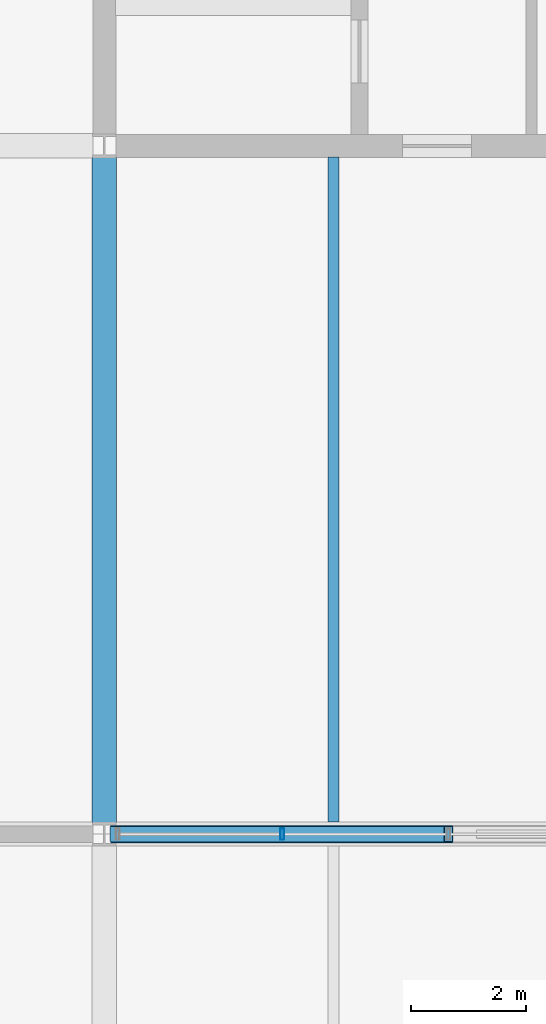
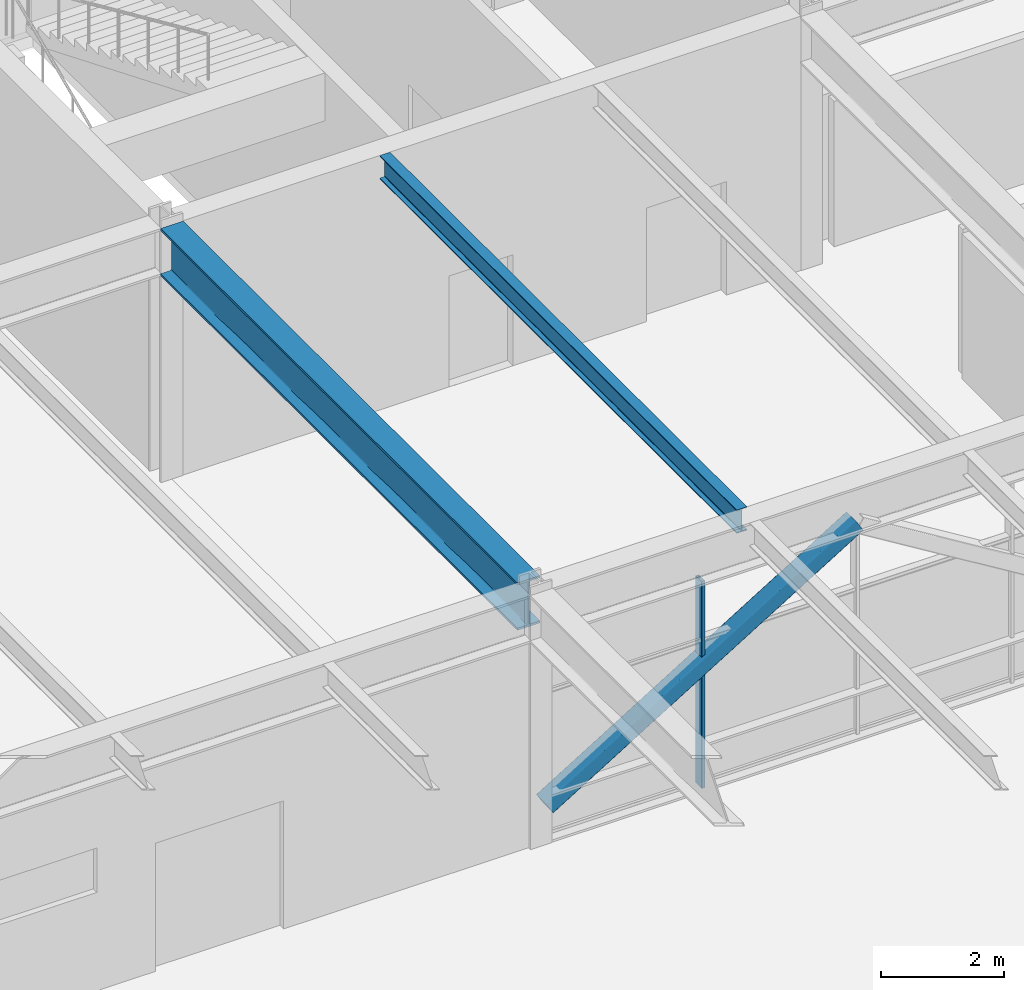
# One storey, part 22 of 42: 2 beams, 2 members, 1 element without a shape of its own.
"""IFC4 building model written with IfcOpenShell, lengths in metres."""

from ifc_helpers import new_model, si_unit, direction, frame, origin, origin_2d, place, context, subcontext, project, spatial, hollow_rectangle, i_section, extrude, material, material_profile, profile_set, type_object, element, aggregate, save


model = new_model("IFC4")

# Units and contexts
model_context = context("Model", 3, precision=1e-05, world=origin(), true_north=direction((0.0, 1.0)))
body_context = subcontext(model_context, "Body", "Model", "MODEL_VIEW")
ifc_project = project(units=[si_unit("LENGTHUNIT", "METRE"), si_unit("AREAUNIT", "SQUARE_METRE"), si_unit("VOLUMEUNIT", "CUBIC_METRE"), si_unit("PLANEANGLEUNIT", "RADIAN"), si_unit("MASSUNIT", "GRAM", prefix="KILO")], contexts=[model_context])

# Site, building, storey
site_placement = place(None, origin())
site = spatial("IfcSite", under=ifc_project, at=site_placement, CompositionType="ELEMENT")
building_placement = place(site_placement, origin())
building = spatial("IfcBuilding", under=site, at=building_placement, Name="Girod Span Mobility Hub", CompositionType="ELEMENT")
storey_placement = place(building_placement, frame((0.0, 0.0, 32.39990234375)))
storey = spatial("IfcBuildingStorey", under=building, at=storey_placement, Name="L08", CompositionType="ELEMENT", Elevation=32.39990234375)

# Beams
ifc_material_1 = material(Name="Steel A992 Grade 50", Category="steel")
ifc_material_profile_1 = material_profile(ifc_material_1, i_section(OverallWidth=0.19189453125, OverallDepth=0.462890625, WebThickness=0.010498046875, FlangeThickness=0.017578125, FilletRadius=0.013916015625, at=origin_2d()), Name="W18X60")
ifc_profile_set_1 = profile_set([ifc_material_profile_1], Name="Steel A992 Grade 50")
beam_type_1 = type_object("IfcBeamType", Name="BM-STL-W18X60", PredefinedType="BEAM", material=ifc_profile_set_1)
beam_1_placement = place(storey_placement, frame((112.0, 45.20849609375, 4.80859375), z_axis=(0.0, 1.0, 0.0), x_axis=(-1.0, 0.0, 0.0)))
element("IfcBeam", 1, at=beam_1_placement, inside=storey, type_object=beam_type_1, Name="Composite Floorbeam 10/D-1 L08", PredefinedType="BEAM", context=body_context, shape_type="SweptSolid", body=[
    extrude(i_section(OverallWidth=0.19189453125, OverallDepth=0.462890625, WebThickness=0.010498046875, FlangeThickness=0.017578125, FilletRadius=0.013916015625, at=origin_2d()), origin(), (0.0, 0.0, 1.0), 11.594482421875),
])
ifc_material_2 = material(Name="Steel A992 Grade 50", Category="steel")
ifc_material_profile_2 = material_profile(ifc_material_2, i_section(OverallWidth=0.423095703125, OverallDepth=0.93994140625, WebThickness=0.02392578125, FlangeThickness=0.042724609375, FilletRadius=0.02392578125, at=origin_2d()), Name="W36X302")
ifc_profile_set_2 = profile_set([ifc_material_profile_2], Name="Steel A992 Grade 50")
beam_type_2 = type_object("IfcBeamType", Name="BM-STL-W36X302", PredefinedType="BEAM", material=ifc_profile_set_2)
beam_2_placement = place(storey_placement, frame((108.0, 45.205078125, 4.570068359375), z_axis=(0.0, 1.0, 0.0), x_axis=(-1.0, 0.0, 0.0)))
element("IfcBeam", 2, at=beam_2_placement, inside=storey, type_object=beam_type_2, Name="Tie Girder 10/D-E L08", PredefinedType="BEAM", context=body_context, shape_type="SweptSolid", body=[
    extrude(i_section(OverallWidth=0.423095703125, OverallDepth=0.93994140625, WebThickness=0.02392578125, FlangeThickness=0.042724609375, FilletRadius=0.02392578125, at=origin_2d()), origin(), (0.0, 0.0, 1.0), 11.58984375),
])

# Curtain wall, member
ifc_material_3 = material(Name="Thermally Broken Anodised Aluminium", Category="aluminium")
curtain_wall_type = type_object("IfcCurtainWallType", Name="CW-1160X410", PredefinedType="USERDEFINED", material=ifc_material_3)
curtain_wall_placement = place(storey_placement, origin())
curtain_wall = element("IfcCurtainWall", 3, at=curtain_wall_placement, inside=storey, type_object=curtain_wall_type, Name="Unitised Curtain Wall CW-L08-S10 L08", ObjectType="UNITISED CURTAIN WALL", PredefinedType="USERDEFINED")
ifc_material_4 = material(Name="Thermally Broken Anodised Aluminium", Category="aluminium")
ifc_material_profile_3 = material_profile(ifc_material_4, hollow_rectangle(XDim=0.199951171875, YDim=0.06494140625, WallThickness=0.00390625, InnerFilletRadius=0.00390625, OuterFilletRadius=0.008056640625, at=origin_2d()), Name="CW-ML-65X200")
ifc_profile_set_3 = profile_set([ifc_material_profile_3], Name="Thermally Broken Anodised Aluminium")
member_type_1 = type_object("IfcMemberType", Name="CWM-ML-1", PredefinedType="MULLION", material=ifc_profile_set_3)
member_1_placement = place(storey_placement, frame((111.1005859375, 45.0, 0.0), z_axis=(0.0, 0.0, 1.0), x_axis=(0.0, 1.0, 0.0)))
member_1 = element("IfcMember", 4, at=member_1_placement, type_object=member_type_1, Name="Curtain Wall Mullion CW-L08-S10-M1", PredefinedType="MULLION", context=body_context, shape_type="SweptSolid", body=[
    extrude(hollow_rectangle(XDim=0.199951171875, YDim=0.06494140625, WallThickness=0.00390625, InnerFilletRadius=0.00390625, OuterFilletRadius=0.008056640625, at=origin_2d()), origin(), (0.0, 0.0, 1.0), 4.10009765625),
])
aggregate(curtain_wall, [member_1])

# Member
ifc_material_5 = material(Name="Steel HSS A500 Grade C", Category="steel")
ifc_material_profile_4 = material_profile(ifc_material_5, hollow_rectangle(XDim=0.304931640625, YDim=0.304931640625, WallThickness=0.014892578125, InnerFilletRadius=0.014892578125, OuterFilletRadius=0.029541015625, at=origin_2d()), Name="HSS305X305X16")
ifc_profile_set_4 = profile_set([ifc_material_profile_4], Name="Steel HSS A500 Grade C")
member_type_2 = type_object("IfcMemberType", Name="MB-BR-HSS305", PredefinedType="BRACE", material=ifc_profile_set_4)
member_2_placement = place(storey_placement, frame((108.18310546875, 45.0, 0.650146484375), z_axis=(0.852282861165, 0.0, 0.523081183531), x_axis=(0.0, 1.0, 0.0)))
element("IfcMember", 5, at=member_2_placement, inside=storey, type_object=member_type_2, Name="Warren Transfer Truss Web Diagonal Y=45 10-L", PredefinedType="BRACE", context=body_context, shape_type="SweptSolid", body=[
    extrude(hollow_rectangle(XDim=0.304931640625, YDim=0.304931640625, WallThickness=0.014892578125, InnerFilletRadius=0.014892578125, OuterFilletRadius=0.029541015625, at=origin_2d()), origin(), (0.0, 0.0, 1.0), 6.8251953125),
])

save(model, "model.ifc")
